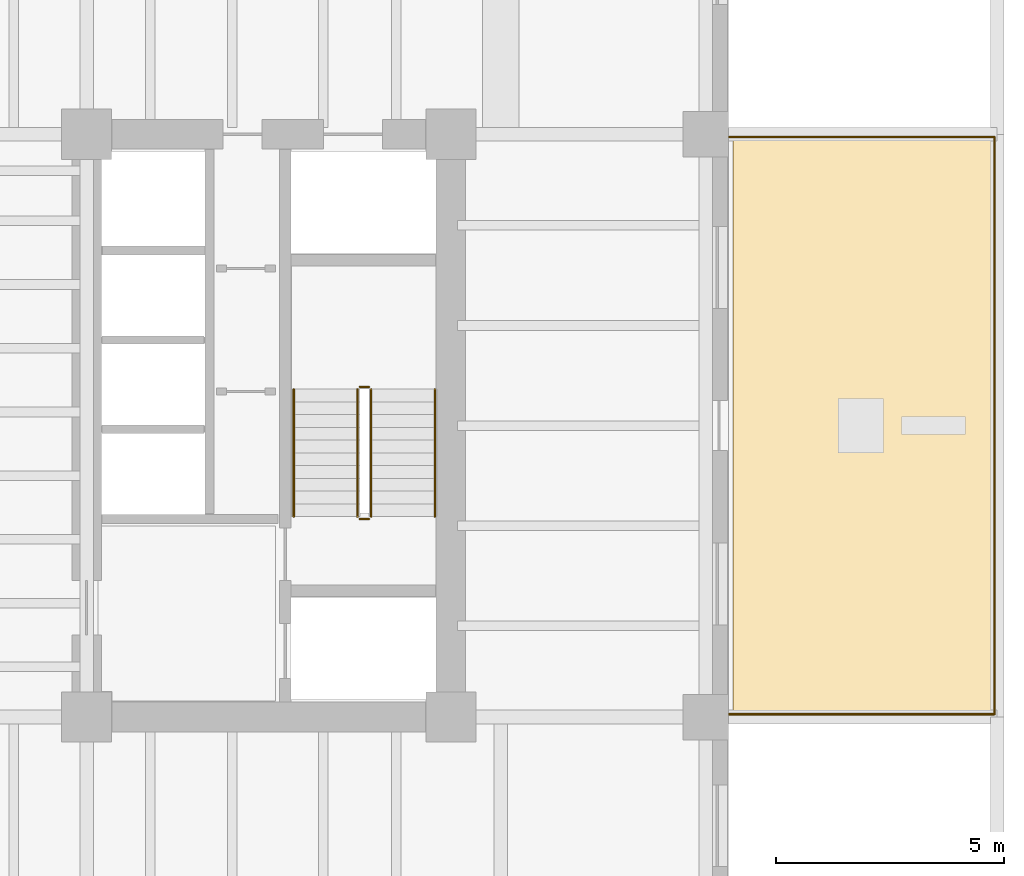
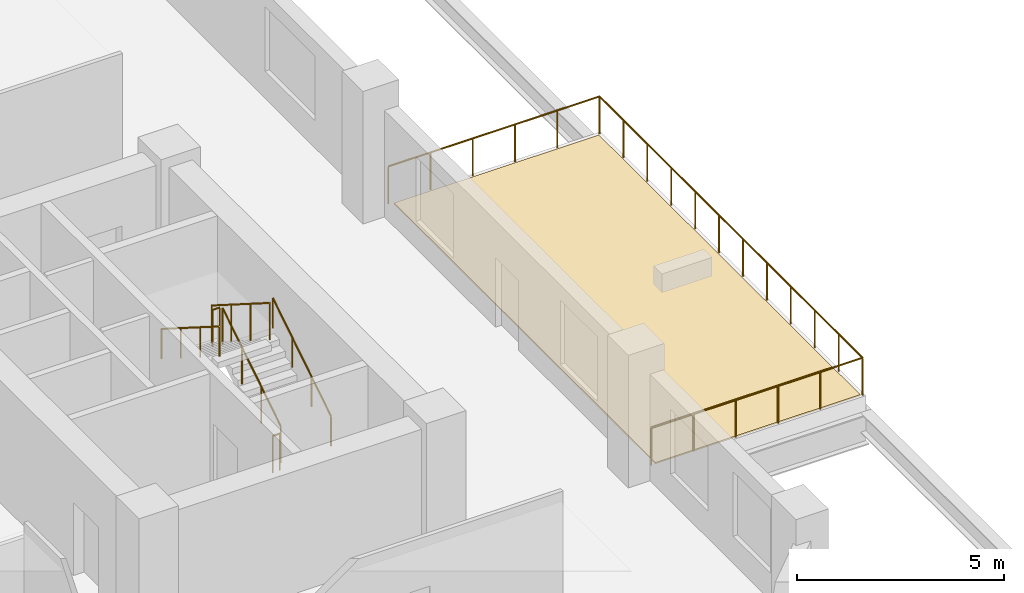
# One storey, part 9 of 11: 7 railings, 1 covering.
"""IFC4 building model written with IfcOpenShell, lengths in metres."""

from ifc_helpers import new_model, si_unit, direction, frame, origin, origin_2d, place, context, subcontext, project, spatial, polyline, circle, outline, extrude, material, layer, layer_set, type_object, element, save


model = new_model("IFC4")

# Units and contexts
model_context = context("Model", 3, precision=1e-05, world=origin(), true_north=direction((0.0, 1.0)))
body_context = subcontext(model_context, "Body", "Model", "MODEL_VIEW")
ifc_project = project(units=[si_unit("LENGTHUNIT", "METRE"), si_unit("AREAUNIT", "SQUARE_METRE"), si_unit("VOLUMEUNIT", "CUBIC_METRE"), si_unit("PLANEANGLEUNIT", "RADIAN"), si_unit("MASSUNIT", "GRAM", prefix="KILO")], contexts=[model_context])

# Site, building, storey
site_placement = place(None, origin())
site = spatial("IfcSite", under=ifc_project, at=site_placement, CompositionType="ELEMENT")
building_placement = place(site_placement, origin())
building = spatial("IfcBuilding", under=site, at=building_placement, Name="Kranthara Brick Stack", CompositionType="ELEMENT")
storey_placement = place(building_placement, frame((0.0, 0.0, 94.5)))
storey = spatial("IfcBuildingStorey", under=building, at=storey_placement, Name="L23", CompositionType="ELEMENT", Elevation=94.5)

# Covering
ifc_material_1 = material(Name="EPDM waterproofing membrane and rigid insulation", Category="other")
ifc_layer = layer(ifc_material_1, 0.0400390625)
ifc_layer_set = layer_set([ifc_layer], Name="EPDM waterproofing membrane and rigid insulation")
covering_type = type_object("IfcCoveringType", Name="COV-ROOF-MEMB", PredefinedType="ROOFING", material=ifc_layer_set)
covering_placement = place(storey_placement, frame((0.0, 0.0, -0.0400390625)))
element("IfcCovering", 1, at=covering_placement, inside=storey, type_object=covering_type, Name="L23 Sky Garden Waterproofing Membrane", PredefinedType="ROOFING", context=body_context, shape_type="SweptSolid", body=[
    extrude(outline(polyline([(49.39990234375, 20.89990234375), (55.10009765625, 20.89990234375), (55.10009765625, 33.5), (49.39990234375, 33.5), (49.39990234375, 20.89990234375)])), origin(), (0.0, 0.0, 1.0), 0.0400390625),
])

# Railings
ifc_material_2 = material(Name="Painted galvanized steel stair guardrail", Category="steel")
railing_type_1 = type_object("IfcRailingType", Name="RL-STAIR-GUARD-1100", PredefinedType="GUARDRAIL", material=ifc_material_2)
railing_1_placement = place(storey_placement, frame((41.449951171875, 25.199951171875, 0.17724609375)))
element("IfcRailing", 2, at=railing_1_placement, inside=storey, type_object=railing_type_1, Name="L23 ST02 stair guard 1", PredefinedType="GUARDRAIL", context=body_context, shape_type="SweptSolid", body=[
    extrude(circle(Radius=0.02392578125, at=origin_2d()), frame((0.0, 0.0, 1.076171875), z_axis=(0.0, 0.844908973607, 0.534910110503), x_axis=(-1.0, 0.0, 0.0)), (0.0, 0.0, 1.0), 3.31396484375),
    extrude(circle(Radius=0.02099609375, at=origin_2d()), origin(), (0.0, 0.0, 1.0), 1.052001953125),
    extrude(circle(Radius=0.02099609375, at=origin_2d()), frame((0.0, 0.933349609375, 0.5908203125)), (0.0, 0.0, 1.0), 1.052001953125),
    extrude(circle(Radius=0.02099609375, at=origin_2d()), frame((0.0, 1.86669921875, 1.181884765625)), (0.0, 0.0, 1.0), 1.052001953125),
    extrude(circle(Radius=0.02099609375, at=origin_2d()), frame((0.0, 2.800048828125, 1.772705078125)), (0.0, 0.0, 1.0), 1.052001953125),
])
railing_2_placement = place(storey_placement, frame((41.39990234375, 28.050048828125, 1.949951171875)))
element("IfcRailing", 3, at=railing_2_placement, inside=storey, type_object=railing_type_1, Name="L23 ST02 stair guard 2", PredefinedType="GUARDRAIL", context=body_context, shape_type="SweptSolid", body=[
    extrude(circle(Radius=0.02392578125, at=origin_2d()), frame((0.0, 0.0, 1.076171875), z_axis=(-1.0, 0.0, 0.0), x_axis=(0.0, -1.0, 0.0)), (0.0, 0.0, 1.0), 0.199951171875),
    extrude(circle(Radius=0.02099609375, at=origin_2d()), origin(), (0.0, 0.0, 1.0), 1.052001953125),
    extrude(circle(Radius=0.02099609375, at=origin_2d()), frame((-0.199951171875, 0.0, 0.0)), (0.0, 0.0, 1.0), 1.052001953125),
])
railing_3_placement = place(storey_placement, frame((41.14990234375, 28.0, 2.127197265625)))
element("IfcRailing", 4, at=railing_3_placement, inside=storey, type_object=railing_type_1, Name="L23 ST02 stair guard 3", PredefinedType="GUARDRAIL", context=body_context, shape_type="SweptSolid", body=[
    extrude(circle(Radius=0.02392578125, at=origin_2d()), frame((0.0, 0.0, 1.076171875), z_axis=(0.0, -0.844908973607, 0.534910110503), x_axis=(1.0, 0.0, 0.0)), (0.0, 0.0, 1.0), 3.31396484375),
    extrude(circle(Radius=0.02099609375, at=origin_2d()), origin(), (0.0, 0.0, 1.0), 1.052001953125),
    extrude(circle(Radius=0.02099609375, at=origin_2d()), frame((0.0, -0.933349609375, 0.5908203125)), (0.0, 0.0, 1.0), 1.052001953125),
    extrude(circle(Radius=0.02099609375, at=origin_2d()), frame((0.0, -1.86669921875, 1.181884765625)), (0.0, 0.0, 1.0), 1.052001953125),
    extrude(circle(Radius=0.02099609375, at=origin_2d()), frame((0.0, -2.800048828125, 1.772705078125)), (0.0, 0.0, 1.0), 1.052001953125),
])
railing_4_placement = place(storey_placement, frame((41.39990234375, 25.14990234375, 0.0)))
element("IfcRailing", 5, at=railing_4_placement, inside=storey, type_object=railing_type_1, Name="L23 ST02 stair guard 4", PredefinedType="GUARDRAIL", context=body_context, shape_type="SweptSolid", body=[
    extrude(circle(Radius=0.02392578125, at=origin_2d()), frame((0.0, 0.0, 1.076171875), z_axis=(-1.0, 0.0, 0.0), x_axis=(0.0, -1.0, 0.0)), (0.0, 0.0, 1.0), 0.199951171875),
    extrude(circle(Radius=0.02099609375, at=origin_2d()), origin(), (0.0, 0.0, 1.0), 1.052001953125),
    extrude(circle(Radius=0.02099609375, at=origin_2d()), frame((-0.199951171875, 0.0, 0.0)), (0.0, 0.0, 1.0), 1.052001953125),
])
ifc_material_3 = material(Name="Brushed stainless steel tubular handrail", Category="steel")
railing_type_2 = type_object("IfcRailingType", Name="RL-STAIR-HAND-900", PredefinedType="HANDRAIL", material=ifc_material_3)
railing_5_placement = place(storey_placement, frame((42.85009765625, 25.199951171875, 0.17724609375)))
element("IfcRailing", 6, at=railing_5_placement, inside=storey, type_object=railing_type_2, Name="L23 ST02 stair handrail 1", PredefinedType="HANDRAIL", context=body_context, shape_type="SweptSolid", body=[
    extrude(circle(Radius=0.02392578125, at=origin_2d()), frame((0.0, 0.0, 0.8759765625), z_axis=(0.0, 0.844908973607, 0.534910110503), x_axis=(-1.0, 0.0, 0.0)), (0.0, 0.0, 1.0), 3.31396484375),
    extrude(circle(Radius=0.02099609375, at=origin_2d()), origin(), (0.0, 0.0, 1.0), 0.851806640625),
    extrude(circle(Radius=0.02099609375, at=origin_2d()), frame((0.0, 0.933349609375, 0.5908203125)), (0.0, 0.0, 1.0), 0.851806640625),
    extrude(circle(Radius=0.02099609375, at=origin_2d()), frame((0.0, 1.86669921875, 1.181884765625)), (0.0, 0.0, 1.0), 0.851806640625),
    extrude(circle(Radius=0.02099609375, at=origin_2d()), frame((0.0, 2.800048828125, 1.772705078125)), (0.0, 0.0, 1.0), 0.851806640625),
])
railing_6_placement = place(storey_placement, frame((39.75, 28.0, 2.127197265625)))
element("IfcRailing", 7, at=railing_6_placement, inside=storey, type_object=railing_type_2, Name="L23 ST02 stair handrail 2", PredefinedType="HANDRAIL", context=body_context, shape_type="SweptSolid", body=[
    extrude(circle(Radius=0.02392578125, at=origin_2d()), frame((0.0, 0.0, 0.8759765625), z_axis=(0.0, -0.844908973607, 0.534910110503), x_axis=(1.0, 0.0, 0.0)), (0.0, 0.0, 1.0), 3.31396484375),
    extrude(circle(Radius=0.02099609375, at=origin_2d()), origin(), (0.0, 0.0, 1.0), 0.851806640625),
    extrude(circle(Radius=0.02099609375, at=origin_2d()), frame((0.0, -0.933349609375, 0.5908203125)), (0.0, 0.0, 1.0), 0.851806640625),
    extrude(circle(Radius=0.02099609375, at=origin_2d()), frame((0.0, -1.86669921875, 1.181884765625)), (0.0, 0.0, 1.0), 0.851806640625),
    extrude(circle(Radius=0.02099609375, at=origin_2d()), frame((0.0, -2.800048828125, 1.772705078125)), (0.0, 0.0, 1.0), 0.851806640625),
])
ifc_material_4 = material(Name="Bronze anodised aluminium guardrail", Category="aluminium")
railing_type_3 = type_object("IfcRailingType", Name="RL-TERR-1100", PredefinedType="GUARDRAIL", material=ifc_material_4)
railing_7_placement = place(storey_placement, frame((49.260009765625, 20.860107421875, 0.0)))
element("IfcRailing", 8, at=railing_7_placement, inside=storey, type_object=railing_type_3, Name="L23 Sky Garden Perimeter Guardrail", PredefinedType="GUARDRAIL", context=body_context, shape_type="SweptSolid", body=[
    extrude(circle(Radius=0.02392578125, at=origin_2d()), frame((0.0, 0.0, 1.09619140625), z_axis=(1.0, 0.0, 0.0), x_axis=(0.0, 1.0, 0.0)), (0.0, 0.0, 1.0), 5.8798828125),
    extrude(circle(Radius=0.02392578125, at=origin_2d()), frame((5.8798828125, 0.0, 1.09619140625), z_axis=(0.0, 1.0, 0.0), x_axis=(-1.0, 0.0, 0.0)), (0.0, 0.0, 1.0), 12.679931640625),
    extrude(circle(Radius=0.02392578125, at=origin_2d()), frame((5.8798828125, 12.679931640625, 1.09619140625), z_axis=(-1.0, 0.0, 0.0), x_axis=(0.0, -1.0, 0.0)), (0.0, 0.0, 1.0), 5.8798828125),
    extrude(circle(Radius=0.02099609375, at=origin_2d()), origin(), (0.0, 0.0, 1.0), 1.072021484375),
    extrude(circle(Radius=0.02099609375, at=origin_2d()), frame((1.176025390625, 0.0, 0.0)), (0.0, 0.0, 1.0), 1.072021484375),
    extrude(circle(Radius=0.02099609375, at=origin_2d()), frame((2.35205078125, 0.0, 0.0)), (0.0, 0.0, 1.0), 1.072021484375),
    extrude(circle(Radius=0.02099609375, at=origin_2d()), frame((3.52783203125, 0.0, 0.0)), (0.0, 0.0, 1.0), 1.072021484375),
    extrude(circle(Radius=0.02099609375, at=origin_2d()), frame((4.703857421875, 0.0, 0.0)), (0.0, 0.0, 1.0), 1.072021484375),
    extrude(circle(Radius=0.02099609375, at=origin_2d()), frame((5.8798828125, 0.0, 0.0)), (0.0, 0.0, 1.0), 1.072021484375),
    extrude(circle(Radius=0.02099609375, at=origin_2d()), frame((5.8798828125, 1.15283203125, 0.0)), (0.0, 0.0, 1.0), 1.072021484375),
    extrude(circle(Radius=0.02099609375, at=origin_2d()), frame((5.8798828125, 2.305419921875, 0.0)), (0.0, 0.0, 1.0), 1.072021484375),
    extrude(circle(Radius=0.02099609375, at=origin_2d()), frame((5.8798828125, 3.458251953125, 0.0)), (0.0, 0.0, 1.0), 1.072021484375),
    extrude(circle(Radius=0.02099609375, at=origin_2d()), frame((5.8798828125, 4.61083984375, 0.0)), (0.0, 0.0, 1.0), 1.072021484375),
    extrude(circle(Radius=0.02099609375, at=origin_2d()), frame((5.8798828125, 5.763671875, 0.0)), (0.0, 0.0, 1.0), 1.072021484375),
    extrude(circle(Radius=0.02099609375, at=origin_2d()), frame((5.8798828125, 6.916259765625, 0.0)), (0.0, 0.0, 1.0), 1.072021484375),
    extrude(circle(Radius=0.02099609375, at=origin_2d()), frame((5.8798828125, 8.069091796875, 0.0)), (0.0, 0.0, 1.0), 1.072021484375),
    extrude(circle(Radius=0.02099609375, at=origin_2d()), frame((5.8798828125, 9.2216796875, 0.0)), (0.0, 0.0, 1.0), 1.072021484375),
    extrude(circle(Radius=0.02099609375, at=origin_2d()), frame((5.8798828125, 10.37451171875, 0.0)), (0.0, 0.0, 1.0), 1.072021484375),
    extrude(circle(Radius=0.02099609375, at=origin_2d()), frame((5.8798828125, 11.527099609375, 0.0)), (0.0, 0.0, 1.0), 1.072021484375),
    extrude(circle(Radius=0.02099609375, at=origin_2d()), frame((5.8798828125, 12.679931640625, 0.0)), (0.0, 0.0, 1.0), 1.072021484375),
    extrude(circle(Radius=0.02099609375, at=origin_2d()), frame((4.703857421875, 12.679931640625, 0.0)), (0.0, 0.0, 1.0), 1.072021484375),
    extrude(circle(Radius=0.02099609375, at=origin_2d()), frame((3.52783203125, 12.679931640625, 0.0)), (0.0, 0.0, 1.0), 1.072021484375),
    extrude(circle(Radius=0.02099609375, at=origin_2d()), frame((2.35205078125, 12.679931640625, 0.0)), (0.0, 0.0, 1.0), 1.072021484375),
    extrude(circle(Radius=0.02099609375, at=origin_2d()), frame((1.176025390625, 12.679931640625, 0.0)), (0.0, 0.0, 1.0), 1.072021484375),
    extrude(circle(Radius=0.02099609375, at=origin_2d()), frame((0.0, 12.679931640625, 0.0)), (0.0, 0.0, 1.0), 1.072021484375),
])

save(model, "model.ifc")
